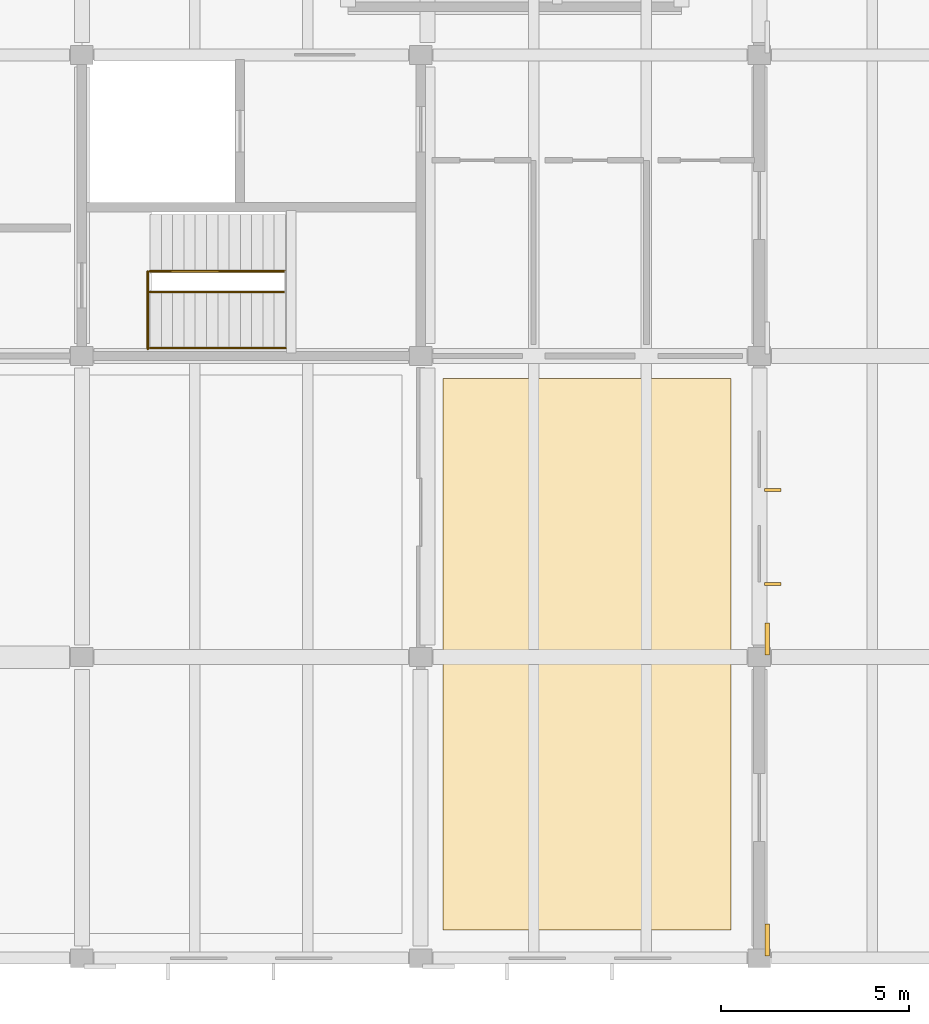
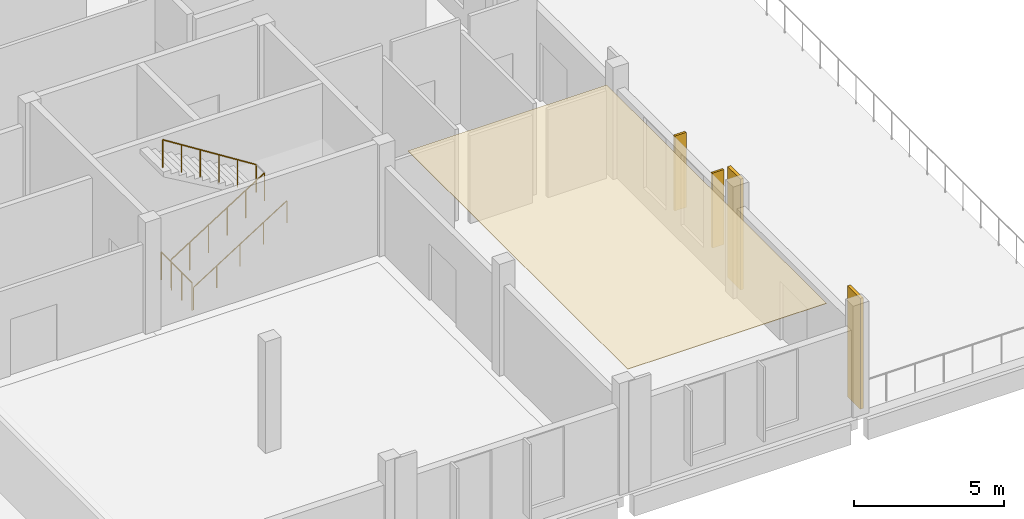
# One storey, part 57 of 63: 4 railings, 3 coverings, 2 shading devices.
"""IFC4 building model written with IfcOpenShell, lengths in metres."""

from ifc_helpers import new_model, si_unit, direction, frame, origin, origin_2d, place, context, subcontext, project, spatial, polyline, rectangle, circle, outline, extrude, material, layer, layer_set, type_object, element, save


model = new_model("IFC4")

# Units and contexts
model_context = context("Model", 3, precision=1e-05, world=origin(), true_north=direction((0.0, 1.0)))
body_context = subcontext(model_context, "Body", "Model", "MODEL_VIEW")
ifc_project = project(units=[si_unit("LENGTHUNIT", "METRE"), si_unit("AREAUNIT", "SQUARE_METRE"), si_unit("VOLUMEUNIT", "CUBIC_METRE"), si_unit("PLANEANGLEUNIT", "RADIAN"), si_unit("MASSUNIT", "GRAM", prefix="KILO")], contexts=[model_context])

# Site, building, storey
site_placement = place(None, origin())
site = spatial("IfcSite", under=ifc_project, at=site_placement, CompositionType="ELEMENT")
building_placement = place(site_placement, origin())
building = spatial("IfcBuilding", under=site, at=building_placement, Name="Zacnel Wholesale Market", CompositionType="ELEMENT")
storey_placement = place(building_placement, frame((0.0, 0.0, 11.199951171875)))
storey = spatial("IfcBuildingStorey", under=building, at=storey_placement, Name="L03", CompositionType="ELEMENT", Elevation=11.199951171875)

# Coverings
ifc_material_1 = material(Name="Micro-perforated acoustic gypsum ceiling")
ifc_layer_1 = layer(ifc_material_1, 0.02001953125)
ifc_layer_set_1 = layer_set([ifc_layer_1], Name="Micro-perforated acoustic gypsum ceiling")
covering_type_1 = type_object("IfcCoveringType", Name="COV-CEIL-AC-20", PredefinedType="CEILING", material=ifc_layer_set_1)
covering_placement = place(storey_placement, frame((0.0, 0.0, 4.2099609375)))
element("IfcCovering", 1, at=covering_placement, inside=storey, type_object=covering_type_1, Name="Acoustic ceiling L03-504", PredefinedType="CEILING", context=body_context, shape_type="SweptSolid", body=[
    extrude(outline(polyline([(198.60009765625, 0.75), (206.25, 0.75), (206.25, 15.39990234375), (198.60009765625, 15.39990234375), (198.60009765625, 0.75)])), origin(), (0.0, 0.0, 1.0), 0.02001953125),
])
ifc_material_2 = material(Name="Honed Yucatan Maya cream limestone", Category="masonry")
ifc_layer_2 = layer(ifc_material_2, 0.090087890625)
ifc_layer_set_2 = layer_set([ifc_layer_2], Name="Honed Yucatan Maya cream limestone")
covering_type_2 = type_object("IfcCoveringType", Name="COV-CLAD-FRET", PredefinedType="CLADDING", material=ifc_layer_set_2)
for number, where, z_axis, x_axis, name in (
    (2, (207.2099609375, 0.47998046875, 0.02001953125), (0.0, 0.0, 1.0), (0.0, 1.0, 0.0), "Fluted Mayan-Deco limestone pilaster L03-0207"),
    (3, (207.2099609375, 8.47998046875, 0.02001953125), (0.0, 0.0, 1.0), (0.0, 1.0, 0.0), "Fluted Mayan-Deco limestone pilaster L03-0208"),
):
    element("IfcCovering", number, at=place(storey_placement, frame(where, z_axis=z_axis, x_axis=x_axis)), inside=storey, type_object=covering_type_2, Name=name, PredefinedType="CLADDING", context=body_context, shape_type="SweptSolid", body=[
        extrude(rectangle(XDim=0.85009765625, YDim=0.1201171875, at=origin_2d()), origin(), (0.0, 0.0, 1.0), 4.510009765625),
    ])

# Railings
ifc_material_3 = material(Name="Galvanized steel", Category="steel")
railing_type_1 = type_object("IfcRailingType", Name="RAL-HANDRAIL-920", PredefinedType="HANDRAIL", material=ifc_material_3)
railing_1_placement = place(storey_placement, frame((190.81005859375, 16.2099609375, 0.0)))
element("IfcRailing", 4, at=railing_1_placement, inside=storey, type_object=railing_type_1, Name="Stair ST-06 wall handrail", PredefinedType="HANDRAIL", context=body_context, shape_type="SweptSolid", body=[
    extrude(circle(Radius=0.02099609375, at=origin_2d()), frame((0.0, 0.0, 0.89892578125), z_axis=(0.845324026139, 0.0, 0.534253957246), x_axis=(0.0, 1.0, 0.0)), (0.0, 0.0, 1.0), 4.258544921875),
    extrude(circle(Radius=0.01806640625, at=origin_2d()), origin(), (0.0, 0.0, 1.0), 0.8779296875),
    extrude(circle(Radius=0.01806640625, at=origin_2d()), frame((0.89990234375, 0.0, 0.56884765625)), (0.0, 0.0, 1.0), 0.8779296875),
    extrude(circle(Radius=0.01806640625, at=origin_2d()), frame((1.7998046875, 0.0, 1.1376953125)), (0.0, 0.0, 1.0), 0.8779296875),
    extrude(circle(Radius=0.01806640625, at=origin_2d()), frame((2.699951171875, 0.0, 1.706298828125)), (0.0, 0.0, 1.0), 0.8779296875),
    extrude(circle(Radius=0.01806640625, at=origin_2d()), frame((3.599853515625, 0.0, 2.275146484375)), (0.0, 0.0, 1.0), 0.8779296875),
])
ifc_material_4 = material(Name="Galvanized steel", Category="steel")
railing_type_2 = type_object("IfcRailingType", Name="RAL-STAIR-GD1150", PredefinedType="BALUSTRADE", material=ifc_material_4)
railing_2_placement = place(storey_placement, frame((190.75, 16.18994140625, 0.0)))
element("IfcRailing", 5, at=railing_2_placement, inside=storey, type_object=railing_type_2, Name="Stair balustrade INT-STAIR-ST-05-GDWELL-1", PredefinedType="BALUSTRADE", context=body_context, shape_type="SweptSolid", body=[
    extrude(circle(Radius=0.02392578125, at=origin_2d()), frame((0.0, 0.0, 1.1259765625), z_axis=(0.0, 1.0, 0.0), x_axis=(-1.0, 0.0, 0.0)), (0.0, 0.0, 1.0), 2.06005859375),
    extrude(circle(Radius=0.02099609375, at=origin_2d()), origin(), (0.0, 0.0, 1.0), 1.101806640625),
    extrude(circle(Radius=0.02099609375, at=origin_2d()), frame((0.0, 0.686767578125, 0.0)), (0.0, 0.0, 1.0), 1.101806640625),
    extrude(circle(Radius=0.02099609375, at=origin_2d()), frame((0.0, 1.373291015625, 0.0)), (0.0, 0.0, 1.0), 1.101806640625),
    extrude(circle(Radius=0.02099609375, at=origin_2d()), frame((0.0, 2.06005859375, 0.0)), (0.0, 0.0, 1.0), 1.101806640625),
])
railing_3_placement = place(storey_placement, frame((190.81005859375, 17.699951171875, 0.0)))
element("IfcRailing", 6, at=railing_3_placement, inside=storey, type_object=railing_type_2, Name="Stair balustrade INT-STAIR-ST-06-GDIN-1", PredefinedType="BALUSTRADE", context=body_context, shape_type="SweptSolid", body=[
    extrude(circle(Radius=0.02392578125, at=origin_2d()), frame((0.0, 0.0, 1.1259765625), z_axis=(0.845324026139, 0.0, 0.534253957246), x_axis=(0.0, 1.0, 0.0)), (0.0, 0.0, 1.0), 4.258544921875),
    extrude(circle(Radius=0.02099609375, at=origin_2d()), origin(), (0.0, 0.0, 1.0), 1.101806640625),
    extrude(circle(Radius=0.02099609375, at=origin_2d()), frame((0.719970703125, 0.0, 0.455078125)), (0.0, 0.0, 1.0), 1.101806640625),
    extrude(circle(Radius=0.02099609375, at=origin_2d()), frame((1.43994140625, 0.0, 0.91015625)), (0.0, 0.0, 1.0), 1.101806640625),
    extrude(circle(Radius=0.02099609375, at=origin_2d()), frame((2.159912109375, 0.0, 1.364990234375)), (0.0, 0.0, 1.0), 1.101806640625),
    extrude(circle(Radius=0.02099609375, at=origin_2d()), frame((2.8798828125, 0.0, 1.820068359375)), (0.0, 0.0, 1.0), 1.101806640625),
    extrude(circle(Radius=0.02099609375, at=origin_2d()), frame((3.599853515625, 0.0, 2.275146484375)), (0.0, 0.0, 1.0), 1.101806640625),
])
railing_4_placement = place(storey_placement, frame((194.409912109375, 18.25, 2.275146484375)))
element("IfcRailing", 7, at=railing_4_placement, inside=storey, type_object=railing_type_2, Name="Stair balustrade INT-STAIR-ST-06-GDIN-3", PredefinedType="BALUSTRADE", context=body_context, shape_type="SweptSolid", body=[
    extrude(circle(Radius=0.02392578125, at=origin_2d()), frame((0.0, 0.0, 1.1259765625), z_axis=(-0.845349916973, 0.0, 0.534212989241), x_axis=(0.0, -1.0, 0.0)), (0.0, 0.0, 1.0), 4.25830078125),
    extrude(circle(Radius=0.02099609375, at=origin_2d()), origin(), (0.0, 0.0, 1.0), 1.101806640625),
    extrude(circle(Radius=0.02099609375, at=origin_2d()), frame((-0.719970703125, 0.0, 0.455078125)), (0.0, 0.0, 1.0), 1.101806640625),
    extrude(circle(Radius=0.02099609375, at=origin_2d()), frame((-1.43994140625, 0.0, 0.909912109375)), (0.0, 0.0, 1.0), 1.101806640625),
    extrude(circle(Radius=0.02099609375, at=origin_2d()), frame((-2.159912109375, 0.0, 1.364990234375)), (0.0, 0.0, 1.0), 1.101806640625),
    extrude(circle(Radius=0.02099609375, at=origin_2d()), frame((-2.8798828125, 0.0, 1.81982421875)), (0.0, 0.0, 1.0), 1.101806640625),
    extrude(circle(Radius=0.02099609375, at=origin_2d()), frame((-3.599853515625, 0.0, 2.27490234375)), (0.0, 0.0, 1.0), 1.101806640625),
])

# Shading devices
ifc_material_5 = material(Name="Honed Yucatan Maya cream limestone", Category="masonry")
shading_device_type = type_object("IfcShadingDeviceType", Name="SHD-FIN-V450", PredefinedType="USERDEFINED", material=ifc_material_5)
for number, where, z_axis, x_axis, name in (
    (8, (207.360107421875, 9.93994140625, 0.60498046875), (0.0, 0.0, 1.0), (0.0, 1.0, 0.0), "Limestone sunshade fin 0249"),
    (9, (207.360107421875, 12.43994140625, 0.60498046875), (0.0, 0.0, 1.0), (0.0, 1.0, 0.0), "Limestone sunshade fin 0250"),
):
    element("IfcShadingDevice", number, at=place(storey_placement, frame(where, z_axis=z_axis, x_axis=x_axis)), inside=storey, type_object=shading_device_type, Name=name, ObjectType="SUNSHADE", PredefinedType="USERDEFINED", context=body_context, shape_type="SweptSolid", body=[
        extrude(rectangle(XDim=0.080078125, YDim=0.43994140625, at=origin_2d()), origin(), (0.0, 0.0, 1.0), 3.050048828125),
    ])

save(model, "model.ifc")
